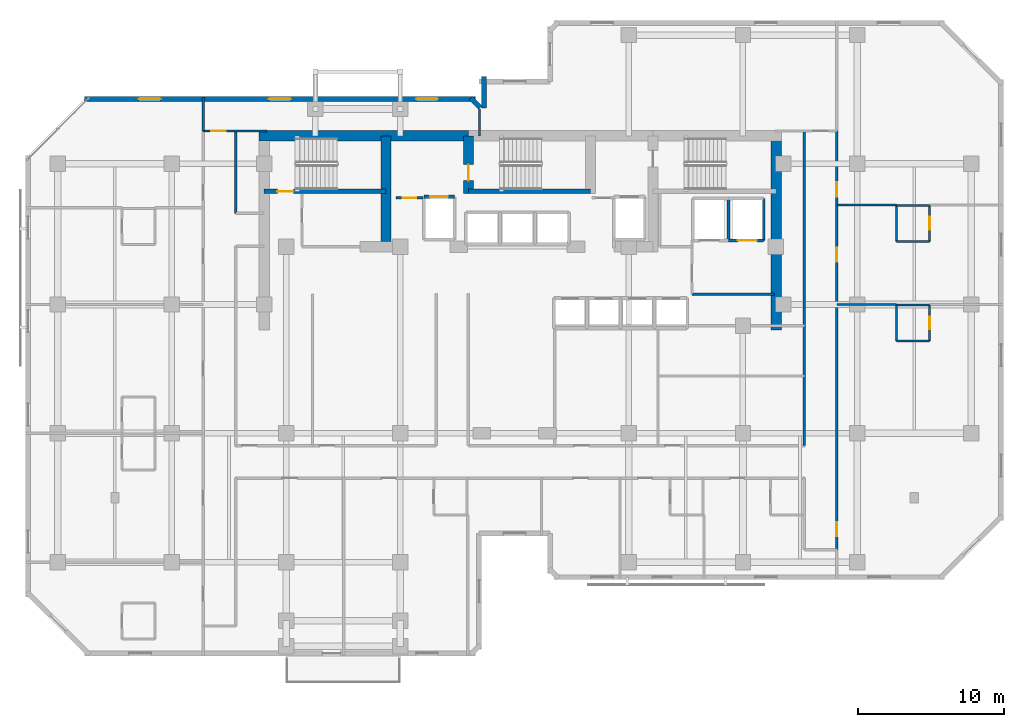
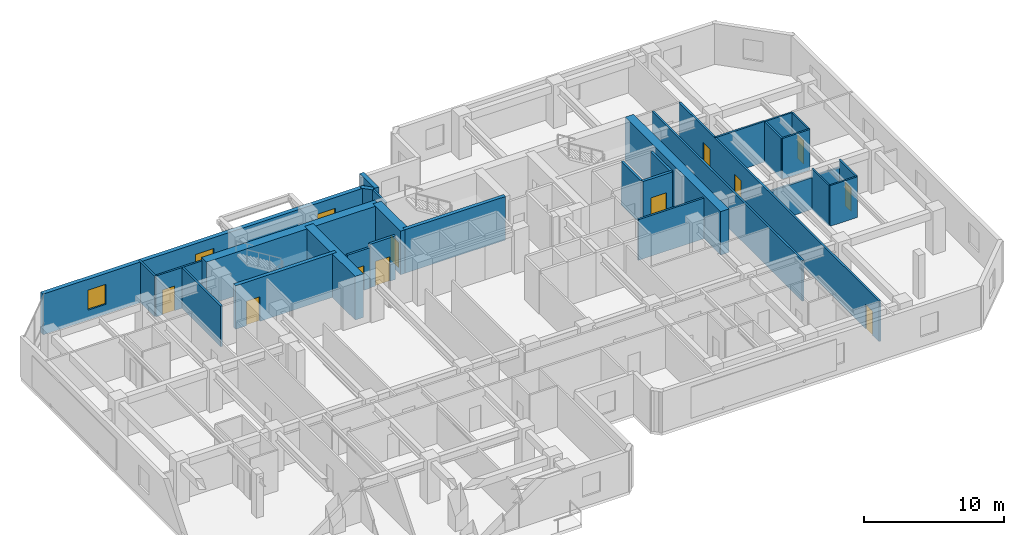
# One storey, part 7 of 11: 31 walls, 11 doors, 3 windows, 14 openings.
"""IFC4 building model written with IfcOpenShell, lengths in metres."""

from ifc_helpers import new_model, si_unit, direction, frame, frame_2d, origin, place, context, subcontext, project, spatial, rectangle, extrude, material, layer, layer_set, type_object, element, fill, save


model = new_model("IFC4")

# Units and contexts
model_context = context("Model", 3, precision=1e-05, world=origin(), true_north=direction((0.0, 1.0)))
body_context = subcontext(model_context, "Body", "Model", "MODEL_VIEW")
ifc_project = project(units=[si_unit("LENGTHUNIT", "METRE"), si_unit("AREAUNIT", "SQUARE_METRE"), si_unit("VOLUMEUNIT", "CUBIC_METRE"), si_unit("PLANEANGLEUNIT", "RADIAN"), si_unit("MASSUNIT", "GRAM", prefix="KILO")], contexts=[model_context])

# Site, building, storey
site_placement = place(None, origin())
site = spatial("IfcSite", under=ifc_project, at=site_placement, CompositionType="ELEMENT")
building_placement = place(site_placement, origin())
building = spatial("IfcBuilding", under=site, at=building_placement, Name="Kestravale Grand Hotel", CompositionType="ELEMENT")
storey_placement = place(building_placement, frame((0.0, 0.0, 172.60009765625)))
storey = spatial("IfcBuildingStorey", under=building, at=storey_placement, Name="L43", CompositionType="ELEMENT", Elevation=172.60009765625)

# Walls
ifc_material_1 = material(Name="Concrete f'c 60 MPa", Category="concrete")
ifc_layer_1 = layer(ifc_material_1, 0.699951171875)
ifc_layer_set_1 = layer_set([ifc_layer_1], Name="EW-CORE-700")
wall_type_1 = type_object("IfcWallType", Name="EW-CORE-700", PredefinedType="SHEAR", material=ifc_layer_set_1)
wall_1_placement = place(storey_placement, frame((21.550048828125, 40.320068359375, 0.0), z_axis=(0.0, 0.0, 1.0), x_axis=(1.0, 0.0, 0.0)))
element("IfcWall", 1, at=wall_1_placement, inside=storey, type_object=wall_type_1, Name="L43 core shear wall N1", PredefinedType="SHEAR", context=body_context, shape_type="SweptSolid", body=[
    extrude(rectangle(XDim=14.300048828125, YDim=0.699951171875, at=frame_2d((7.14990234375, 0.0))), origin(), (0.0, 0.0, 1.0), 3.7998046875),
])
wall_2_placement = place(storey_placement, frame((56.8701171875, 27.050048828125, 0.0), z_axis=(0.0, 0.0, 1.0), x_axis=(0.0, 1.0, 0.0)))
element("IfcWall", 2, at=wall_2_placement, inside=storey, type_object=wall_type_1, Name="L43 core shear wall E1", PredefinedType="SHEAR", context=body_context, shape_type="SweptSolid", body=[
    extrude(rectangle(XDim=13.619873046875, YDim=0.699951171875, at=frame_2d((6.81005859375, 0.0))), origin(), (0.0, 0.0, 1.0), 3.7998046875),
])
wall_3_placement = place(storey_placement, frame((30.219970703125, 33.10009765625, 0.0), z_axis=(0.0, 0.0, 1.0), x_axis=(0.0, 1.0, 0.0)))
element("IfcWall", 3, at=wall_3_placement, inside=storey, type_object=wall_type_1, Name="L43 core shear wall X1", PredefinedType="SHEAR", context=body_context, shape_type="SweptSolid", body=[
    extrude(rectangle(XDim=7.219970703125, YDim=0.699951171875, at=frame_2d((3.60986328125, 0.0))), origin(), (0.0, 0.0, 1.0), 3.7998046875),
])

# Wall, opening, door
wall_4_placement = place(storey_placement, frame((35.85009765625, 36.3701171875, 0.0), z_axis=(0.0, 0.0, 1.0), x_axis=(0.0, 1.0, 0.0)))
wall_4 = element("IfcWall", 4, at=wall_4_placement, inside=storey, type_object=wall_type_1, Name="L43 core shear wall X2", PredefinedType="SHEAR", context=body_context, shape_type="SweptSolid", body=[
    extrude(rectangle(XDim=3.949951171875, YDim=0.699951171875, at=frame_2d((1.97509765625, 0.0))), origin(), (0.0, 0.0, 1.0), 3.7998046875),
])
opening_1_placement = place(wall_4_placement, frame((0.8798828125, 0.0, 0.0)))
opening_1 = element("IfcOpeningElement", 5, at=opening_1_placement, cuts=wall_4, Name="Opening D-ST-1100", PredefinedType="OPENING", context=body_context, shape_type="SweptSolid", body=[
    extrude(rectangle(XDim=1.10009765625, YDim=2.14990234375, at=frame_2d((0.550048828125, 1.074951171875))), frame((0.0, 0.35986328125, 0.0), z_axis=(0.0, -1.0, 0.0), x_axis=(1.0, 0.0, 0.0)), (0.0, 0.0, 1.0), 0.719970703125),
])
ifc_material_2 = material(Name="Galvanised 90-minute fire-rated steel stair door", Category="steel")
door_type_1 = type_object("IfcDoorType", Name="D-ST-1100", OperationType="NOTDEFINED", PredefinedType="DOOR", material=ifc_material_2)
door_1_placement = place(opening_1_placement, origin())
door_1 = element("IfcDoor", 6, at=door_1_placement, inside=storey, type_object=door_type_1, Name="L43 Stair ST-2 FSAE fire door", OperationType="SINGLE_SWING_RIGHT", OverallHeight=2.14990234375, OverallWidth=1.10009765625, PredefinedType="DOOR", context=body_context, shape_type="SweptSolid", body=[
    extrude(rectangle(XDim=1.10009765625, YDim=2.14990234375, at=frame_2d((0.550048828125, 1.074951171875))), frame((0.0, 0.02490234375, 0.0), z_axis=(0.0, -1.0, 0.0), x_axis=(1.0, 0.0, 0.0)), (0.0, 0.0, 1.0), 0.050048828125),
])
fill(opening_1, door_1)

# Walls
ifc_material_3 = material(Name="Precast concrete f'c 45 MPa", Category="concrete")
ifc_layer_2 = layer(ifc_material_3, 0.340087890625)
ifc_layer_set_2 = layer_set([ifc_layer_2], Name="EW-PREC-340")
wall_type_2 = type_object("IfcWallType", Name="EW-PREC-340", PredefinedType="SOLIDWALL", material=ifc_layer_set_2)
wall_5_placement = place(storey_placement, frame((36.919921875, 44.3701171875, 0.0), z_axis=(0.0, 0.0, 1.0), x_axis=(0.0, -1.0, 0.0)))
element("IfcWall", 7, at=wall_5_placement, inside=storey, type_object=wall_type_2, Name="L43 fluted precast facade wall 15", PredefinedType="SOLIDWALL", context=body_context, shape_type="SweptSolid", body=[
    extrude(rectangle(XDim=2.14013671875, YDim=0.340087890625, at=frame_2d((1.070068359375, 0.0))), origin(), (0.0, 0.0, 1.0), 3.5498046875),
])
wall_6_placement = place(storey_placement, frame((36.658203125, 42.25146484375, 0.0), z_axis=(0.0, 0.0, 1.0), x_axis=(-0.707106781187, 0.707106781187, 0.0)))
element("IfcWall", 8, at=wall_6_placement, inside=storey, type_object=wall_type_2, Name="L43 fluted precast facade wall 16", PredefinedType="SOLIDWALL", context=body_context, shape_type="SweptSolid", body=[
    extrude(rectangle(XDim=0.9287109375, YDim=0.340087890625, at=frame_2d((0.46435546875, 0.0))), origin(), (0.0, 0.0, 1.0), 3.5498046875),
])

# Wall, openings, windows
wall_7_placement = place(storey_placement, frame((36.320068359375, 42.830078125, 0.0), z_axis=(0.0, 0.0, 1.0), x_axis=(-1.0, 0.0, 0.0)))
wall_7 = element("IfcWall", 9, at=wall_7_placement, inside=storey, type_object=wall_type_2, Name="L43 fluted precast facade wall 17", PredefinedType="SOLIDWALL", context=body_context, shape_type="SweptSolid", body=[
    extrude(rectangle(XDim=26.690185546875, YDim=0.340087890625, at=frame_2d((13.34521484375, 0.0))), origin(), (0.0, 0.0, 1.0), 3.5498046875),
])
opening_2_placement = place(wall_7_placement, frame((2.54833984375, 0.0, 0.85009765625)))
opening_2 = element("IfcOpeningElement", 10, at=opening_2_placement, cuts=wall_7, Name="Opening W-GUEST-1500", PredefinedType="OPENING", context=body_context, shape_type="SweptSolid", body=[
    extrude(rectangle(XDim=1.5, YDim=1.75, at=frame_2d((0.75, 0.875))), frame((0.0, 0.179931640625, 0.0), z_axis=(0.0, -1.0, 0.0), x_axis=(1.0, 0.0, 0.0)), (0.0, 0.0, 1.0), 0.360107421875),
])
opening_3_placement = place(wall_7_placement, frame((12.594970703125, 0.0, 0.85009765625)))
opening_3 = element("IfcOpeningElement", 11, at=opening_3_placement, cuts=wall_7, Name="Opening W-GUEST-1500", PredefinedType="OPENING", context=body_context, shape_type="SweptSolid", body=[
    extrude(rectangle(XDim=1.5, YDim=1.75, at=frame_2d((0.75, 0.875))), frame((0.0, 0.179931640625, 0.0), z_axis=(0.0, -1.0, 0.0), x_axis=(1.0, 0.0, 0.0)), (0.0, 0.0, 1.0), 0.360107421875),
])
opening_4_placement = place(wall_7_placement, frame((21.49169921875, 0.0, 0.85009765625)))
opening_4 = element("IfcOpeningElement", 12, at=opening_4_placement, cuts=wall_7, Name="Opening W-GUEST-1500", PredefinedType="OPENING", context=body_context, shape_type="SweptSolid", body=[
    extrude(rectangle(XDim=1.5, YDim=1.75, at=frame_2d((0.75, 0.875))), frame((0.0, 0.179931640625, 0.0), z_axis=(0.0, -1.0, 0.0), x_axis=(1.0, 0.0, 0.0)), (0.0, 0.0, 1.0), 0.360107421875),
])
ifc_material_4 = material(Name="Insulated low-E double glazing in aluminium frame", Category="aluminium")
window_type = type_object("IfcWindowType", Name="W-GUEST-1500", PartitioningType="SINGLE_PANEL", PredefinedType="WINDOW", material=ifc_material_4)
window_1_placement = place(opening_2_placement, origin())
window_1 = element("IfcWindow", 13, at=window_1_placement, inside=storey, type_object=window_type, Name="L43 exterior window 17.1", OverallHeight=1.75, OverallWidth=1.5, PartitioningType="SINGLE_PANEL", PredefinedType="WINDOW", context=body_context, shape_type="SweptSolid", body=[
    extrude(rectangle(XDim=1.5, YDim=1.75, at=frame_2d((0.75, 0.875))), frame((0.0, 0.030029296875, 0.0), z_axis=(0.0, -1.0, 0.0), x_axis=(1.0, 0.0, 0.0)), (0.0, 0.0, 1.0), 0.06005859375),
])
fill(opening_2, window_1)
window_2_placement = place(opening_3_placement, origin())
window_2 = element("IfcWindow", 14, at=window_2_placement, inside=storey, type_object=window_type, Name="L43 exterior window 17.2", OverallHeight=1.75, OverallWidth=1.5, PartitioningType="SINGLE_PANEL", PredefinedType="WINDOW", context=body_context, shape_type="SweptSolid", body=[
    extrude(rectangle(XDim=1.5, YDim=1.75, at=frame_2d((0.75, 0.875))), frame((0.0, 0.030029296875, 0.0), z_axis=(0.0, -1.0, 0.0), x_axis=(1.0, 0.0, 0.0)), (0.0, 0.0, 1.0), 0.06005859375),
])
fill(opening_3, window_2)
window_3_placement = place(opening_4_placement, origin())
window_3 = element("IfcWindow", 15, at=window_3_placement, inside=storey, type_object=window_type, Name="L43 exterior window 17.3", OverallHeight=1.75, OverallWidth=1.5, PartitioningType="SINGLE_PANEL", PredefinedType="WINDOW", context=body_context, shape_type="SweptSolid", body=[
    extrude(rectangle(XDim=1.5, YDim=1.75, at=frame_2d((0.75, 0.875))), frame((0.0, 0.030029296875, 0.0), z_axis=(0.0, -1.0, 0.0), x_axis=(1.0, 0.0, 0.0)), (0.0, 0.0, 1.0), 0.06005859375),
])
fill(opening_4, window_3)

# Wall, opening, door
ifc_material_5 = material(Name="Concrete f'c 45 MPa", Category="concrete")
ifc_layer_3 = layer(ifc_material_5, 0.300048828125)
ifc_layer_set_3 = layer_set([ifc_layer_3], Name="EW-STAIR-300")
wall_type_3 = type_object("IfcWallType", Name="EW-STAIR-300", PredefinedType="SHEAR", material=ifc_layer_set_3)
wall_8_placement = place(storey_placement, frame((21.89990234375, 36.52001953125, 0.0), z_axis=(0.0, 0.0, 1.0), x_axis=(1.0, 0.0, 0.0)))
wall_8 = element("IfcWall", 16, at=wall_8_placement, inside=storey, type_object=wall_type_3, Name="L43 stair enclosure shear wall SST1", PredefinedType="SHEAR", context=body_context, shape_type="SweptSolid", body=[
    extrude(rectangle(XDim=8.320068359375, YDim=0.300048828125, at=frame_2d((4.16015625, 0.0))), origin(), (0.0, 0.0, 1.0), 3.7998046875),
])
opening_5_placement = place(wall_8_placement, frame((0.89990234375, 0.0, 0.0)))
opening_5 = element("IfcOpeningElement", 17, at=opening_5_placement, cuts=wall_8, Name="Opening D-ST-1100", PredefinedType="OPENING", context=body_context, shape_type="SweptSolid", body=[
    extrude(rectangle(XDim=1.10009765625, YDim=2.14990234375, at=frame_2d((0.550048828125, 1.074951171875))), frame((0.0, 0.159912109375, 0.0), z_axis=(0.0, -1.0, 0.0), x_axis=(1.0, 0.0, 0.0)), (0.0, 0.0, 1.0), 0.320068359375),
])
door_2_placement = place(opening_5_placement, origin())
door_2 = element("IfcDoor", 18, at=door_2_placement, inside=storey, type_object=door_type_1, Name="L43 Stair ST-1 fire door", OperationType="SINGLE_SWING_RIGHT", OverallHeight=2.14990234375, OverallWidth=1.10009765625, PredefinedType="DOOR", context=body_context, shape_type="SweptSolid", body=[
    extrude(rectangle(XDim=1.10009765625, YDim=2.14990234375, at=frame_2d((0.550048828125, 1.074951171875))), frame((0.0, 0.02490234375, 0.0), z_axis=(0.0, -1.0, 0.0), x_axis=(1.0, 0.0, 0.0)), (0.0, 0.0, 1.0), 0.050048828125),
])
fill(opening_5, door_2)

# Walls
wall_9_placement = place(storey_placement, frame((35.85009765625, 36.52001953125, 0.0), z_axis=(0.0, 0.0, 1.0), x_axis=(1.0, 0.0, 0.0)))
element("IfcWall", 19, at=wall_9_placement, inside=storey, type_object=wall_type_3, Name="L43 stair enclosure shear wall SST2", PredefinedType="SHEAR", context=body_context, shape_type="SweptSolid", body=[
    extrude(rectangle(XDim=8.329833984375, YDim=0.300048828125, at=frame_2d((4.1650390625, 0.0))), origin(), (0.0, 0.0, 1.0), 3.7998046875),
])
ifc_material_6 = material(Name="Acoustic fire-rated gypsum board partition", Category="other")
ifc_layer_4 = layer(ifc_material_6, 0.159912109375)
ifc_layer_set_4 = layer_set([ifc_layer_4], Name="IW-CORR-160")
wall_type_4 = type_object("IfcWallType", Name="IW-CORR-160", PredefinedType="PARTITIONING", material=ifc_layer_set_4)
for number, where, z_axis, x_axis, name in (
    (20, (51.1201171875, 29.5, 0.0), (0.0, 0.0, 1.0), (1.0, 0.0, 0.0), "L43 service lift lobby wall"),
    (21, (19.9599609375, 35.02001953125, 0.0), (0.0, 0.0, 1.0), (0.0, 1.0, 0.0), "W-L43-SW-EN"),
):
    element("IfcWall", number, at=place(storey_placement, frame(where, z_axis=z_axis, x_axis=x_axis)), inside=storey, type_object=wall_type_4, Name=name, PredefinedType="PARTITIONING", context=body_context, shape_type="SweptSolid", body=[
        extrude(rectangle(XDim=5.6298828125, YDim=0.159912109375, at=frame_2d((2.81494140625, 0.0))), origin(), (0.0, 0.0, 1.0), 3.5498046875),
    ])

# Wall, openings, doors
wall_10_placement = place(storey_placement, frame((61.010009765625, 12.050048828125, 0.0), z_axis=(0.0, 0.0, 1.0), x_axis=(0.0, 1.0, 0.0)))
wall_10 = element("IfcWall", 22, at=wall_10_placement, inside=storey, type_object=wall_type_4, Name="W-L43-SE-E", PredefinedType="PARTITIONING", context=body_context, shape_type="SweptSolid", body=[
    extrude(rectangle(XDim=28.599853515625, YDim=0.159912109375, at=frame_2d((14.2998046875, 0.0))), origin(), (0.0, 0.0, 1.0), 3.5498046875),
])
opening_6_placement = place(wall_10_placement, frame((0.925048828125, 0.0, 0.0)))
opening_6 = element("IfcOpeningElement", 23, at=opening_6_placement, cuts=wall_10, Name="Opening D-GUEST-950", PredefinedType="OPENING", context=body_context, shape_type="SweptSolid", body=[
    extrude(rectangle(XDim=0.949951171875, YDim=2.10009765625, at=frame_2d((0.47509765625, 1.050048828125))), frame((0.0, 0.08984375, 0.0), z_axis=(0.0, -1.0, 0.0), x_axis=(1.0, 0.0, 0.0)), (0.0, 0.0, 1.0), 0.179931640625),
])
opening_7_placement = place(wall_10_placement, frame((19.675048828125, 0.0, 0.0)))
opening_7 = element("IfcOpeningElement", 24, at=opening_7_placement, cuts=wall_10, Name="Opening D-GUEST-950", PredefinedType="OPENING", context=body_context, shape_type="SweptSolid", body=[
    extrude(rectangle(XDim=0.949951171875, YDim=2.10009765625, at=frame_2d((0.47509765625, 1.050048828125))), frame((0.0, 0.08984375, 0.0), z_axis=(0.0, -1.0, 0.0), x_axis=(1.0, 0.0, 0.0)), (0.0, 0.0, 1.0), 0.179931640625),
])
opening_8_placement = place(wall_10_placement, frame((24.10009765625, 0.0, 0.0)))
opening_8 = element("IfcOpeningElement", 25, at=opening_8_placement, cuts=wall_10, Name="Opening D-GUEST-1000", PredefinedType="OPENING", context=body_context, shape_type="SweptSolid", body=[
    extrude(rectangle(XDim=1.0, YDim=2.14990234375, at=frame_2d((0.5, 1.074951171875))), frame((0.0, 0.08984375, 0.0), z_axis=(0.0, -1.0, 0.0), x_axis=(1.0, 0.0, 0.0)), (0.0, 0.0, 1.0), 0.179931640625),
])
ifc_material_7 = material(Name="Accessible walnut veneer hotel entrance fire door", Category="wood")
door_type_2 = type_object("IfcDoorType", Name="D-GUEST-1000", OperationType="NOTDEFINED", PredefinedType="DOOR", material=ifc_material_7)
door_3_placement = place(opening_8_placement, origin())
door_3 = element("IfcDoor", 26, at=door_3_placement, inside=storey, type_object=door_type_2, Name="D-L43-AMEW", OperationType="SINGLE_SWING_LEFT", OverallHeight=2.14990234375, OverallWidth=1.0, PredefinedType="DOOR", context=body_context, shape_type="SweptSolid", body=[
    extrude(rectangle(XDim=1.0, YDim=2.14990234375, at=frame_2d((0.5, 1.074951171875))), frame((0.0, 0.02490234375, 0.0), z_axis=(0.0, -1.0, 0.0), x_axis=(1.0, 0.0, 0.0)), (0.0, 0.0, 1.0), 0.050048828125),
])
fill(opening_8, door_3)
ifc_material_8 = material(Name="Walnut veneer hotel guestroom entrance fire door", Category="wood")
door_type_3 = type_object("IfcDoorType", Name="D-GUEST-950", OperationType="NOTDEFINED", PredefinedType="DOOR", material=ifc_material_8)
door_4_placement = place(opening_6_placement, origin())
door_4 = element("IfcDoor", 27, at=door_4_placement, inside=storey, type_object=door_type_3, Name="D-L43-U08-ENT", OperationType="SINGLE_SWING_RIGHT", OverallHeight=2.10009765625, OverallWidth=0.949951171875, PredefinedType="DOOR", context=body_context, shape_type="SweptSolid", body=[
    extrude(rectangle(XDim=0.949951171875, YDim=2.10009765625, at=frame_2d((0.47509765625, 1.050048828125))), frame((0.0, 0.02490234375, 0.0), z_axis=(0.0, -1.0, 0.0), x_axis=(1.0, 0.0, 0.0)), (0.0, 0.0, 1.0), 0.050048828125),
])
fill(opening_6, door_4)
door_5_placement = place(opening_7_placement, origin())
door_5 = element("IfcDoor", 28, at=door_5_placement, inside=storey, type_object=door_type_3, Name="D-L43-U09-ENT", OperationType="SINGLE_SWING_RIGHT", OverallHeight=2.10009765625, OverallWidth=0.949951171875, PredefinedType="DOOR", context=body_context, shape_type="SweptSolid", body=[
    extrude(rectangle(XDim=0.949951171875, YDim=2.10009765625, at=frame_2d((0.47509765625, 1.050048828125))), frame((0.0, 0.02490234375, 0.0), z_axis=(0.0, -1.0, 0.0), x_axis=(1.0, 0.0, 0.0)), (0.0, 0.0, 1.0), 0.050048828125),
])
fill(opening_7, door_5)

# Wall
wall_11_placement = place(storey_placement, frame((58.7900390625, 19.159912109375, 0.0), z_axis=(0.0, 0.0, 1.0), x_axis=(0.0, 1.0, 0.0)))
element("IfcWall", 29, at=wall_11_placement, inside=storey, type_object=wall_type_4, Name="W-L43-SE-WU", PredefinedType="PARTITIONING", context=body_context, shape_type="SweptSolid", body=[
    extrude(rectangle(XDim=21.489990234375, YDim=0.159912109375, at=frame_2d((10.7451171875, 0.0))), origin(), (0.0, 0.0, 1.0), 3.5498046875),
])

# Wall, opening, door
ifc_material_9 = material(Name="Fire-rated gypsum board on steel studs with mineral wool", Category="steel")
ifc_layer_5 = layer(ifc_material_9, 0.179931640625)
ifc_layer_set_5 = layer_set([ifc_layer_5], Name="IW-FSAE-180")
wall_type_5 = type_object("IfcWallType", Name="IW-FSAE-180", PredefinedType="PARTITIONING", material=ifc_layer_set_5)
wall_12_placement = place(storey_placement, frame((30.89990234375, 36.080078125, 0.0), z_axis=(0.0, 0.0, 1.0), x_axis=(1.0, 0.0, 0.0)))
wall_12 = element("IfcWall", 30, at=wall_12_placement, inside=storey, type_object=wall_type_5, Name="L43 FSAE Lobby 1 smoke barrier", PredefinedType="PARTITIONING", context=body_context, shape_type="SweptSolid", body=[
    extrude(rectangle(XDim=1.85009765625, YDim=0.179931640625, at=frame_2d((0.925048828125, 0.0))), origin(), (0.0, 0.0, 1.0), 3.5498046875),
])
opening_9_placement = place(wall_12_placement, frame((0.47998046875, 0.0, 0.0)))
opening_9 = element("IfcOpeningElement", 31, at=opening_9_placement, cuts=wall_12, Name="Opening D-FSAE-1000", PredefinedType="OPENING", context=body_context, shape_type="SweptSolid", body=[
    extrude(rectangle(XDim=0.89990234375, YDim=2.14990234375, at=frame_2d((0.449951171875, 1.074951171875))), frame((0.0, 0.099853515625, 0.0), z_axis=(0.0, -1.0, 0.0), x_axis=(1.0, 0.0, 0.0)), (0.0, 0.0, 1.0), 0.199951171875),
])
ifc_material_10 = material(Name="Smoke-gasketed FSAE lobby fire door", Category="steel")
door_type_4 = type_object("IfcDoorType", Name="D-FSAE-1000", OperationType="NOTDEFINED", PredefinedType="DOOR", material=ifc_material_10)
door_6_placement = place(opening_9_placement, origin())
door_6 = element("IfcDoor", 32, at=door_6_placement, inside=storey, type_object=door_type_4, Name="L43 FSAE Lobby 1 fire door", OperationType="SINGLE_SWING_RIGHT", OverallHeight=2.14990234375, OverallWidth=0.89990234375, PredefinedType="DOOR", context=body_context, shape_type="SweptSolid", body=[
    extrude(rectangle(XDim=0.89990234375, YDim=2.14990234375, at=frame_2d((0.449951171875, 1.074951171875))), frame((0.0, 0.02490234375, 0.0), z_axis=(0.0, -1.0, 0.0), x_axis=(1.0, 0.0, 0.0)), (0.0, 0.0, 1.0), 0.050048828125),
])
fill(opening_9, door_6)

# Wall
ifc_material_11 = material(Name="Moisture-resistant tile-backer plumbing chase wall", Category="other")
ifc_layer_6 = layer(ifc_material_11, 0.139892578125)
ifc_layer_set_6 = layer_set([ifc_layer_6], Name="IW-PLB-140")
wall_type_6 = type_object("IfcWallType", Name="IW-PLB-140", PredefinedType="PLUMBINGWALL", material=ifc_layer_set_6)
wall_13_placement = place(storey_placement, frame((65.10009765625, 26.31005859375, 0.0), z_axis=(0.0, 0.0, 1.0), x_axis=(0.0, 1.0, 0.0)))
element("IfcWall", 33, at=wall_13_placement, inside=storey, type_object=wall_type_6, Name="W-L43-U08-BW", PredefinedType="PLUMBINGWALL", context=body_context, shape_type="SweptSolid", body=[
    extrude(rectangle(XDim=2.449951171875, YDim=0.139892578125, at=frame_2d((1.22509765625, 0.0))), origin(), (0.0, 0.0, 1.0), 3.5498046875),
])

# Wall, opening, door
wall_14_placement = place(storey_placement, frame((67.35009765625, 26.31005859375, 0.0), z_axis=(0.0, 0.0, 1.0), x_axis=(0.0, 1.0, 0.0)))
wall_14 = element("IfcWall", 34, at=wall_14_placement, inside=storey, type_object=wall_type_6, Name="W-L43-U08-BE", PredefinedType="PLUMBINGWALL", context=body_context, shape_type="SweptSolid", body=[
    extrude(rectangle(XDim=2.449951171875, YDim=0.139892578125, at=frame_2d((1.22509765625, 0.0))), origin(), (0.0, 0.0, 1.0), 3.5498046875),
])
opening_10_placement = place(wall_14_placement, frame((0.784912109375, 0.0, 0.0)))
opening_10 = element("IfcOpeningElement", 35, at=opening_10_placement, cuts=wall_14, Name="Opening D-BATH-880", PredefinedType="OPENING", context=body_context, shape_type="SweptSolid", body=[
    extrude(rectangle(XDim=0.8798828125, YDim=2.050048828125, at=frame_2d((0.43994140625, 1.02490234375))), frame((0.0, 0.079833984375, 0.0), z_axis=(0.0, -1.0, 0.0), x_axis=(1.0, 0.0, 0.0)), (0.0, 0.0, 1.0), 0.159912109375),
])
ifc_material_12 = material(Name="Moisture-sealed walnut en-suite bathroom door", Category="wood")
door_type_5 = type_object("IfcDoorType", Name="D-BATH-880", OperationType="NOTDEFINED", PredefinedType="DOOR", material=ifc_material_12)
door_7_placement = place(opening_10_placement, origin())
door_7 = element("IfcDoor", 36, at=door_7_placement, inside=storey, type_object=door_type_5, Name="D-L43-U08-BATH", OperationType="SINGLE_SWING_LEFT", OverallHeight=2.050048828125, OverallWidth=0.8798828125, PredefinedType="DOOR", context=body_context, shape_type="SweptSolid", body=[
    extrude(rectangle(XDim=0.8798828125, YDim=2.050048828125, at=frame_2d((0.43994140625, 1.02490234375))), frame((0.0, 0.02490234375, 0.0), z_axis=(0.0, -1.0, 0.0), x_axis=(1.0, 0.0, 0.0)), (0.0, 0.0, 1.0), 0.050048828125),
])
fill(opening_10, door_7)

# Walls
wall_15_placement = place(storey_placement, frame((65.10009765625, 26.31005859375, 0.0), z_axis=(0.0, 0.0, 1.0), x_axis=(1.0, 0.0, 0.0)))
element("IfcWall", 37, at=wall_15_placement, inside=storey, type_object=wall_type_6, Name="W-L43-U08-BS", PredefinedType="PLUMBINGWALL", context=body_context, shape_type="SweptSolid", body=[
    extrude(rectangle(XDim=2.25, YDim=0.139892578125, at=frame_2d((1.125, 0.0))), origin(), (0.0, 0.0, 1.0), 3.5498046875),
])
wall_16_placement = place(storey_placement, frame((65.10009765625, 28.760009765625, 0.0), z_axis=(0.0, 0.0, 1.0), x_axis=(1.0, 0.0, 0.0)))
element("IfcWall", 38, at=wall_16_placement, inside=storey, type_object=wall_type_6, Name="W-L43-U08-BN", PredefinedType="PLUMBINGWALL", context=body_context, shape_type="SweptSolid", body=[
    extrude(rectangle(XDim=2.25, YDim=0.139892578125, at=frame_2d((1.125, 0.0))), origin(), (0.0, 0.0, 1.0), 2.89990234375),
])
wall_17_placement = place(storey_placement, frame((65.10009765625, 33.110107421875, 0.0), z_axis=(0.0, 0.0, 1.0), x_axis=(0.0, 1.0, 0.0)))
element("IfcWall", 39, at=wall_17_placement, inside=storey, type_object=wall_type_6, Name="W-L43-U09-BW", PredefinedType="PLUMBINGWALL", context=body_context, shape_type="SweptSolid", body=[
    extrude(rectangle(XDim=2.449951171875, YDim=0.139892578125, at=frame_2d((1.22509765625, 0.0))), origin(), (0.0, 0.0, 1.0), 3.5498046875),
])

# Wall, opening, door
wall_18_placement = place(storey_placement, frame((67.35009765625, 33.110107421875, 0.0), z_axis=(0.0, 0.0, 1.0), x_axis=(0.0, 1.0, 0.0)))
wall_18 = element("IfcWall", 40, at=wall_18_placement, inside=storey, type_object=wall_type_6, Name="W-L43-U09-BE", PredefinedType="PLUMBINGWALL", context=body_context, shape_type="SweptSolid", body=[
    extrude(rectangle(XDim=2.449951171875, YDim=0.139892578125, at=frame_2d((1.22509765625, 0.0))), origin(), (0.0, 0.0, 1.0), 3.5498046875),
])
opening_11_placement = place(wall_18_placement, frame((0.784912109375, 0.0, 0.0)))
opening_11 = element("IfcOpeningElement", 41, at=opening_11_placement, cuts=wall_18, Name="Opening D-BATH-880", PredefinedType="OPENING", context=body_context, shape_type="SweptSolid", body=[
    extrude(rectangle(XDim=0.8798828125, YDim=2.050048828125, at=frame_2d((0.43994140625, 1.02490234375))), frame((0.0, 0.079833984375, 0.0), z_axis=(0.0, -1.0, 0.0), x_axis=(1.0, 0.0, 0.0)), (0.0, 0.0, 1.0), 0.159912109375),
])
door_8_placement = place(opening_11_placement, origin())
door_8 = element("IfcDoor", 42, at=door_8_placement, inside=storey, type_object=door_type_5, Name="D-L43-U09-BATH", OperationType="SINGLE_SWING_LEFT", OverallHeight=2.050048828125, OverallWidth=0.8798828125, PredefinedType="DOOR", context=body_context, shape_type="SweptSolid", body=[
    extrude(rectangle(XDim=0.8798828125, YDim=2.050048828125, at=frame_2d((0.43994140625, 1.02490234375))), frame((0.0, 0.02490234375, 0.0), z_axis=(0.0, -1.0, 0.0), x_axis=(1.0, 0.0, 0.0)), (0.0, 0.0, 1.0), 0.050048828125),
])
fill(opening_11, door_8)

# Walls
for number, where, z_axis, x_axis, name in (
    (43, (65.10009765625, 33.110107421875, 0.0), (0.0, 0.0, 1.0), (1.0, 0.0, 0.0), "W-L43-U09-BS"),
    (44, (65.10009765625, 35.56005859375, 0.0), (0.0, 0.0, 1.0), (1.0, 0.0, 0.0), "W-L43-U09-BN"),
):
    element("IfcWall", number, at=place(storey_placement, frame(where, z_axis=z_axis, x_axis=x_axis)), inside=storey, type_object=wall_type_6, Name=name, PredefinedType="PLUMBINGWALL", context=body_context, shape_type="SweptSolid", body=[
        extrude(rectangle(XDim=2.25, YDim=0.139892578125, at=frame_2d((1.125, 0.0))), origin(), (0.0, 0.0, 1.0), 3.5498046875),
    ])
ifc_material_13 = material(Name="Concrete f'c 45 MPa", Category="concrete")
ifc_layer_7 = layer(ifc_material_13, 0.199951171875)
ifc_layer_set_7 = layer_set([ifc_layer_7], Name="IW-SHAFT-200")
wall_type_7 = type_object("IfcWallType", Name="IW-SHAFT-200", PredefinedType="SHEAR", material=ifc_layer_set_7)
for number, where, z_axis, x_axis, name in (
    (45, (53.60009765625, 33.169921875, 0.0), (0.0, 0.0, 1.0), (0.0, 1.0, 0.0), "L43 SL-2 west shaft wall"),
    (46, (56.02001953125, 33.169921875, 0.0), (0.0, 0.0, 1.0), (0.0, 1.0, 0.0), "L43 SL-2 east shaft wall"),
):
    element("IfcWall", number, at=place(storey_placement, frame(where, z_axis=z_axis, x_axis=x_axis)), inside=storey, type_object=wall_type_7, Name=name, PredefinedType="SHEAR", context=body_context, shape_type="SweptSolid", body=[
        extrude(rectangle(XDim=2.860107421875, YDim=0.199951171875, at=frame_2d((1.43017578125, 0.0))), origin(), (0.0, 0.0, 1.0), 3.7998046875),
    ])

# Wall, opening, door
ifc_material_14 = material(Name="Concrete f'c 45 MPa", Category="concrete")
ifc_layer_8 = layer(ifc_material_14, 0.219970703125)
ifc_layer_set_8 = layer_set([ifc_layer_8], Name="IW-SHAFT-220")
wall_type_8 = type_object("IfcWallType", Name="IW-SHAFT-220", PredefinedType="SHEAR", material=ifc_layer_set_8)
wall_19_placement = place(storey_placement, frame((53.60009765625, 33.169921875, 0.0), z_axis=(0.0, 0.0, 1.0), x_axis=(1.0, 0.0, 0.0)))
wall_19 = element("IfcWall", 47, at=wall_19_placement, inside=storey, type_object=wall_type_8, Name="L43 SL-2 south shaft wall", PredefinedType="SHEAR", context=body_context, shape_type="SweptSolid", body=[
    extrude(rectangle(XDim=2.419921875, YDim=0.219970703125, at=frame_2d((1.2099609375, 0.0))), origin(), (0.0, 0.0, 1.0), 3.7998046875),
])
opening_12_placement = place(wall_19_placement, frame((0.64990234375, 0.0, 0.0)))
opening_12 = element("IfcOpeningElement", 48, at=opening_12_placement, cuts=wall_19, Name="Opening LD-SVC-1300", PredefinedType="OPENING", context=body_context, shape_type="SweptSolid", body=[
    extrude(rectangle(XDim=1.300048828125, YDim=2.14990234375, at=frame_2d((0.64990234375, 1.074951171875))), frame((0.0, 0.119873046875, 0.0), z_axis=(0.0, -1.0, 0.0), x_axis=(1.0, 0.0, 0.0)), (0.0, 0.0, 1.0), 0.239990234375),
])
ifc_material_15 = material(Name="Heavy-duty service sliding elevator landing door", Category="steel")
door_type_6 = type_object("IfcDoorType", Name="LD-SVC-1300", OperationType="NOTDEFINED", PredefinedType="DOOR", material=ifc_material_15)
door_9_placement = place(opening_12_placement, origin())
door_9 = element("IfcDoor", 49, at=door_9_placement, inside=storey, type_object=door_type_6, Name="L43 SL-2 elevator landing sliding door", OperationType="DOUBLE_DOOR_SLIDING", OverallHeight=2.14990234375, OverallWidth=1.300048828125, PredefinedType="DOOR", context=body_context, shape_type="SweptSolid", body=[
    extrude(rectangle(XDim=1.300048828125, YDim=2.14990234375, at=frame_2d((0.64990234375, 1.074951171875))), frame((0.0, 0.02490234375, 0.0), z_axis=(0.0, -1.0, 0.0), x_axis=(1.0, 0.0, 0.0)), (0.0, 0.0, 1.0), 0.050048828125),
])
fill(opening_12, door_9)

wall_20_placement = place(storey_placement, frame((32.804931640625, 36.155029296875, 0.0), z_axis=(0.0, 0.0, 1.0), x_axis=(1.0, 0.0, 0.0)))
wall_20 = element("IfcWall", 50, at=wall_20_placement, inside=storey, type_object=wall_type_8, Name="L43 FL-1 north shaft wall", PredefinedType="SHEAR", context=body_context, shape_type="SweptSolid", body=[
    extrude(rectangle(XDim=2.090087890625, YDim=0.219970703125, at=frame_2d((1.044921875, 0.0))), origin(), (0.0, 0.0, 1.0), 3.7998046875),
])
opening_13_placement = place(wall_20_placement, frame((0.445068359375, 0.0, 0.0)))
opening_13 = element("IfcOpeningElement", 51, at=opening_13_placement, cuts=wall_20, Name="Opening LD-FSAE-1200", PredefinedType="OPENING", context=body_context, shape_type="SweptSolid", body=[
    extrude(rectangle(XDim=1.199951171875, YDim=2.14990234375, at=frame_2d((0.60009765625, 1.074951171875))), frame((0.0, 0.119873046875, 0.0), z_axis=(0.0, -1.0, 0.0), x_axis=(1.0, 0.0, 0.0)), (0.0, 0.0, 1.0), 0.239990234375),
])
ifc_material_16 = material(Name="Stainless fire-service sliding elevator landing door", Category="steel")
door_type_7 = type_object("IfcDoorType", Name="LD-FSAE-1200", OperationType="NOTDEFINED", PredefinedType="DOOR", material=ifc_material_16)
door_10_placement = place(opening_13_placement, origin())
door_10 = element("IfcDoor", 52, at=door_10_placement, inside=storey, type_object=door_type_7, Name="L43 FL-1 elevator landing sliding door", OperationType="DOUBLE_DOOR_SLIDING", OverallHeight=2.14990234375, OverallWidth=1.199951171875, PredefinedType="DOOR", context=body_context, shape_type="SweptSolid", body=[
    extrude(rectangle(XDim=1.199951171875, YDim=2.14990234375, at=frame_2d((0.60009765625, 1.074951171875))), frame((0.0, 0.02490234375, 0.0), z_axis=(0.0, -1.0, 0.0), x_axis=(1.0, 0.0, 0.0)), (0.0, 0.0, 1.0), 0.050048828125),
])
fill(opening_13, door_10)

ifc_material_17 = material(Name="Double-stud STC 52 acoustic demising partition", Category="other")
ifc_layer_9 = layer(ifc_material_17, 0.14990234375)
ifc_layer_set_9 = layer_set([ifc_layer_9], Name="IW-UNIT-150")
wall_type_9 = type_object("IfcWallType", Name="IW-UNIT-150", PredefinedType="PARTITIONING", material=ifc_layer_set_9)
wall_21_placement = place(storey_placement, frame((17.739990234375, 40.64990234375, 0.0), z_axis=(0.0, 0.0, 1.0), x_axis=(1.0, 0.0, 0.0)))
wall_21 = element("IfcWall", 53, at=wall_21_placement, inside=storey, type_object=wall_type_9, Name="W-L43-SW-N", PredefinedType="PARTITIONING", context=body_context, shape_type="SweptSolid", body=[
    extrude(rectangle(XDim=4.360107421875, YDim=0.14990234375, at=frame_2d((2.18017578125, 0.0))), origin(), (0.0, 0.0, 1.0), 3.5498046875),
])
opening_14_placement = place(wall_21_placement, frame((0.550048828125, 0.0, 0.0)))
opening_14 = element("IfcOpeningElement", 54, at=opening_14_placement, cuts=wall_21, Name="Opening D-GUEST-1000", PredefinedType="OPENING", context=body_context, shape_type="SweptSolid", body=[
    extrude(rectangle(XDim=1.0, YDim=2.14990234375, at=frame_2d((0.5, 1.074951171875))), frame((0.0, 0.0849609375, 0.0), z_axis=(0.0, -1.0, 0.0), x_axis=(1.0, 0.0, 0.0)), (0.0, 0.0, 1.0), 0.169921875),
])
door_11_placement = place(opening_14_placement, origin())
door_11 = element("IfcDoor", 55, at=door_11_placement, inside=storey, type_object=door_type_2, Name="L43 NW Gallery Door", OperationType="SINGLE_SWING_RIGHT", OverallHeight=2.14990234375, OverallWidth=1.0, PredefinedType="DOOR", context=body_context, shape_type="SweptSolid", body=[
    extrude(rectangle(XDim=1.0, YDim=2.14990234375, at=frame_2d((0.5, 1.074951171875))), frame((0.0, 0.02490234375, 0.0), z_axis=(0.0, -1.0, 0.0), x_axis=(1.0, 0.0, 0.0)), (0.0, 0.0, 1.0), 0.050048828125),
])
fill(opening_14, door_11)

# Walls
wall_22_placement = place(storey_placement, frame((17.739990234375, 40.64990234375, 0.0), z_axis=(0.0, 0.0, 1.0), x_axis=(0.0, 1.0, 0.0)))
element("IfcWall", 56, at=wall_22_placement, inside=storey, type_object=wall_type_9, Name="W-L43-NGW-W", PredefinedType="PARTITIONING", context=body_context, shape_type="SweptSolid", body=[
    extrude(rectangle(XDim=2.330078125, YDim=0.14990234375, at=frame_2d((1.1650390625, 0.0))), origin(), (0.0, 0.0, 1.0), 3.5498046875),
])
wall_23_placement = place(storey_placement, frame((36.60009765625, 40.320068359375, 0.0), z_axis=(0.0, 0.0, 1.0), x_axis=(0.0, 1.0, 0.0)))
element("IfcWall", 57, at=wall_23_placement, inside=storey, type_object=wall_type_9, Name="W-L43-NGM", PredefinedType="PARTITIONING", context=body_context, shape_type="SweptSolid", body=[
    extrude(rectangle(XDim=1.844970703125, YDim=0.14990234375, at=frame_2d((0.92236328125, 0.0))), origin(), (0.0, 0.0, 1.0), 3.5498046875),
])
wall_24_placement = place(storey_placement, frame((61.010009765625, 28.800048828125, 0.0), z_axis=(0.0, 0.0, 1.0), x_axis=(1.0, 0.0, 0.0)))
element("IfcWall", 58, at=wall_24_placement, inside=storey, type_object=wall_type_9, Name="W-L43-EW-1", PredefinedType="PARTITIONING", context=body_context, shape_type="SweptSolid", body=[
    extrude(rectangle(XDim=4.090087890625, YDim=0.14990234375, at=frame_2d((2.044921875, 0.0))), origin(), (0.0, 0.0, 1.0), 2.77783203125),
])
wall_25_placement = place(storey_placement, frame((61.010009765625, 35.60009765625, 0.0), z_axis=(0.0, 0.0, 1.0), x_axis=(1.0, 0.0, 0.0)))
element("IfcWall", 59, at=wall_25_placement, inside=storey, type_object=wall_type_9, Name="W-L43-EW-2", PredefinedType="PARTITIONING", context=body_context, shape_type="SweptSolid", body=[
    extrude(rectangle(XDim=4.090087890625, YDim=0.14990234375, at=frame_2d((2.044921875, 0.0))), origin(), (0.0, 0.0, 1.0), 3.5498046875),
])

save(model, "model.ifc")
